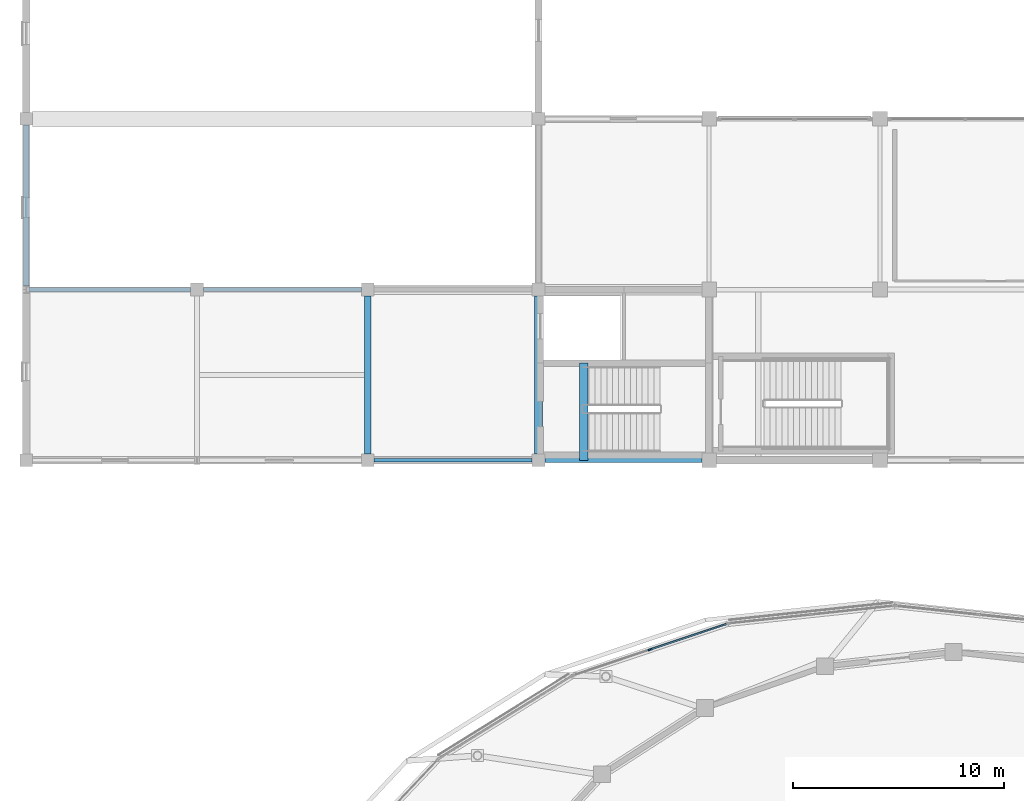
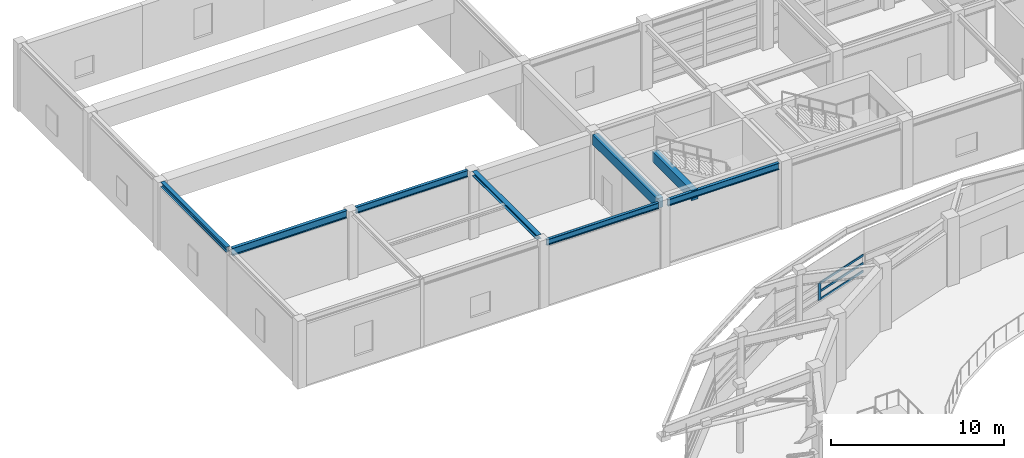
# One storey, part 24 of 58: 8 beams, 4 members, 1 element without a shape of its own.
"""IFC4 building model written with IfcOpenShell, lengths in metres."""

from ifc_helpers import new_model, si_unit, direction, frame, origin, origin_2d, place, context, subcontext, project, spatial, rectangle, i_section, extrude, material, material_profile, profile_set, type_object, element, aggregate, save


model = new_model("IFC4")

# Units and contexts
model_context = context("Model", 3, precision=1e-05, world=origin(), true_north=direction((0.0, 1.0)))
body_context = subcontext(model_context, "Body", "Model", "MODEL_VIEW")
ifc_project = project(units=[si_unit("LENGTHUNIT", "METRE"), si_unit("AREAUNIT", "SQUARE_METRE"), si_unit("VOLUMEUNIT", "CUBIC_METRE"), si_unit("PLANEANGLEUNIT", "RADIAN"), si_unit("MASSUNIT", "GRAM", prefix="KILO")], contexts=[model_context])

# Site, building, storey
site_placement = place(None, origin())
site = spatial("IfcSite", under=ifc_project, at=site_placement, CompositionType="ELEMENT")
building_placement = place(site_placement, origin())
building = spatial("IfcBuilding", under=site, at=building_placement, Name="Parian Resonance Hall", CompositionType="ELEMENT")
storey_placement = place(building_placement, frame((0.0, 0.0, 10.199951171875)))
storey = spatial("IfcBuildingStorey", under=building, at=storey_placement, Name="L02", CompositionType="ELEMENT", Elevation=10.199951171875)

# Beams
ifc_material_1 = material(Name="Concrete C40/50", Category="concrete")
ifc_material_profile_1 = material_profile(ifc_material_1, rectangle(XDim=0.39990234375, YDim=0.699951171875, at=origin_2d()), Name="RC-BM-400x700")
ifc_profile_set_1 = profile_set([ifc_material_profile_1], Name="Concrete C40/50")
beam_type_1 = type_object("IfcBeamType", Name="BM-RC400x700", PredefinedType="BEAM", material=ifc_profile_set_1)
beam_1_placement = place(storey_placement, frame((24.300048828125, 73.199951171875, 4.22998046875), z_axis=(0.0, 1.0, 0.0), x_axis=(-1.0, 0.0, 0.0)))
element("IfcBeam", 1, at=beam_1_placement, inside=storey, type_object=beam_type_1, Name="GY-L02-0746", PredefinedType="BEAM", context=body_context, shape_type="SweptSolid", body=[
    extrude(rectangle(XDim=0.39990234375, YDim=0.699951171875, at=origin_2d()), origin(), (0.0, 0.0, 1.0), 7.5),
])
beam_2_placement = place(storey_placement, frame((26.43994140625, 72.89990234375, 4.22998046875), z_axis=(0.0, 1.0, 0.0), x_axis=(-1.0, 0.0, 0.0)))
element("IfcBeam", 2, at=beam_2_placement, inside=storey, type_object=beam_type_1, Name="Core K4 stair arrival trimmer beam L02", PredefinedType="BEAM", context=body_context, shape_type="SweptSolid", body=[
    extrude(rectangle(XDim=0.39990234375, YDim=0.699951171875, at=origin_2d()), origin(), (0.0, 0.0, 1.0), 4.610107421875),
])
ifc_material_2 = material(Name="Steel S355", Category="steel")
ifc_material_profile_2 = material_profile(ifc_material_2, i_section(OverallWidth=0.304931640625, OverallDepth=0.30810546875, WebThickness=0.010009765625, FlangeThickness=0.015380859375, FilletRadius=0.01513671875, at=origin_2d()), Name="W310x97")
ifc_profile_set_2 = profile_set([ifc_material_profile_2], Name="Steel S355")
beam_type_2 = type_object("IfcBeamType", Name="BM-W310x97", PredefinedType="BEAM", material=ifc_profile_set_2)
beam_3_placement = place(storey_placement, frame((16.199951171875, 73.199951171875, 4.64599609375), z_axis=(0.0, 1.0, 0.0), x_axis=(-1.0, 0.0, 0.0)))
element("IfcBeam", 3, at=beam_3_placement, inside=storey, type_object=beam_type_2, Name="GY-L02-0745", PredefinedType="BEAM", context=body_context, shape_type="SweptSolid", body=[
    extrude(i_section(OverallWidth=0.304931640625, OverallDepth=0.30810546875, WebThickness=0.010009765625, FlangeThickness=0.015380859375, FilletRadius=0.01513671875, at=origin_2d()), origin(), (0.0, 0.0, 1.0), 7.5),
])
ifc_material_3 = material(Name="Steel S355", Category="steel")
ifc_material_profile_3 = material_profile(ifc_material_3, i_section(OverallWidth=0.2548828125, OverallDepth=0.35693359375, WebThickness=0.010498046875, FlangeThickness=0.018310546875, FilletRadius=0.01513671875, at=origin_2d()), Name="W360x101")
ifc_profile_set_3 = profile_set([ifc_material_profile_3], Name="Steel S355")
beam_type_3 = type_object("IfcBeamType", Name="BM-W360x101", PredefinedType="SPANDREL", material=ifc_profile_set_3)
beam_4_placement = place(storey_placement, frame((0.0, 81.178466796875, 4.62158203125), z_axis=(0.0, 1.0, 0.0), x_axis=(-1.0, 0.0, 0.0)))
element("IfcBeam", 4, at=beam_4_placement, inside=storey, type_object=beam_type_3, Name="GY-L02-0741", PredefinedType="SPANDREL", context=body_context, shape_type="SweptSolid", body=[
    extrude(i_section(OverallWidth=0.2548828125, OverallDepth=0.35693359375, WebThickness=0.010498046875, FlangeThickness=0.018310546875, FilletRadius=0.01513671875, at=origin_2d()), origin(), (0.0, 0.0, 1.0), 7.62158203125),
])
ifc_material_4 = material(Name="Steel S355", Category="steel")
ifc_material_profile_4 = material_profile(ifc_material_4, i_section(OverallWidth=0.180908203125, OverallDepth=0.4169921875, WebThickness=0.010986328125, FlangeThickness=0.018310546875, FilletRadius=0.01513671875, at=origin_2d()), Name="W410x85")
ifc_profile_set_4 = profile_set([ifc_material_profile_4], Name="Steel S355")
beam_type_4 = type_object("IfcBeamType", Name="BM-W410x85", PredefinedType="SPANDREL", material=ifc_profile_set_4)
beam_5_placement = place(storey_placement, frame((16.5, 72.89990234375, 4.37158203125), z_axis=(1.0, 0.0, 0.0), x_axis=(0.0, 1.0, 0.0)))
element("IfcBeam", 5, at=beam_5_placement, inside=storey, type_object=beam_type_4, Name="GX-L02-0663", PredefinedType="SPANDREL", context=body_context, shape_type="SweptSolid", body=[
    extrude(i_section(OverallWidth=0.180908203125, OverallDepth=0.4169921875, WebThickness=0.010986328125, FlangeThickness=0.018310546875, FilletRadius=0.01513671875, at=origin_2d()), origin(), (0.0, 0.0, 1.0), 7.5),
])
ifc_material_5 = material(Name="Steel S355", Category="steel")
ifc_material_profile_5 = material_profile(ifc_material_5, i_section(OverallWidth=0.194091796875, OverallDepth=0.468994140625, WebThickness=0.0126953125, FlangeThickness=0.0205078125, FilletRadius=0.01513671875, at=origin_2d()), Name="W460x106")
ifc_profile_set_5 = profile_set([ifc_material_profile_5], Name="Steel S355")
beam_type_5 = type_object("IfcBeamType", Name="BM-W460x106", PredefinedType="SPANDREL", material=ifc_profile_set_5)
beam_6_placement = place(storey_placement, frame((24.60009765625, 72.89990234375, 4.345458984375), z_axis=(1.0, 0.0, 0.0), x_axis=(0.0, 1.0, 0.0)))
element("IfcBeam", 6, at=beam_6_placement, inside=storey, type_object=beam_type_5, Name="GX-L02-0665", PredefinedType="SPANDREL", context=body_context, shape_type="SweptSolid", body=[
    extrude(i_section(OverallWidth=0.194091796875, OverallDepth=0.468994140625, WebThickness=0.0126953125, FlangeThickness=0.0205078125, FilletRadius=0.01513671875, at=origin_2d()), origin(), (0.0, 0.0, 1.0), 7.449951171875),
])
ifc_material_6 = material(Name="Steel S355", Category="steel")
ifc_material_profile_6 = material_profile(ifc_material_6, i_section(OverallWidth=0.19091796875, OverallDepth=0.4599609375, WebThickness=0.010009765625, FlangeThickness=0.01611328125, FilletRadius=0.01513671875, at=origin_2d()), Name="W460x82")
ifc_profile_set_6 = profile_set([ifc_material_profile_6], Name="Steel S355")
beam_type_6 = type_object("IfcBeamType", Name="BM-W460x82", PredefinedType="BEAM", material=ifc_profile_set_6)
beam_7_placement = place(storey_placement, frame((8.39990234375, 81.0, 4.570068359375), z_axis=(1.0, 0.0, 0.0), x_axis=(0.0, 1.0, 0.0)))
element("IfcBeam", 7, at=beam_7_placement, inside=storey, type_object=beam_type_6, Name="GX-L02-0662", PredefinedType="BEAM", context=body_context, shape_type="SweptSolid", body=[
    extrude(i_section(OverallWidth=0.19091796875, OverallDepth=0.4599609375, WebThickness=0.010009765625, FlangeThickness=0.01611328125, FilletRadius=0.01513671875, at=origin_2d()), origin(), (0.0, 0.0, 1.0), 7.5),
])
ifc_material_7 = material(Name="Steel S355", Category="steel")
ifc_material_profile_7 = material_profile(ifc_material_7, i_section(OverallWidth=0.208984375, OverallDepth=0.532958984375, WebThickness=0.01025390625, FlangeThickness=0.015625, FilletRadius=0.017822265625, at=origin_2d()), Name="W530x92")
ifc_profile_set_7 = profile_set([ifc_material_profile_7], Name="Steel S355")
beam_type_7 = type_object("IfcBeamType", Name="BM-W530x92", PredefinedType="BEAM", material=ifc_profile_set_7)
beam_8_placement = place(storey_placement, frame((0.12744140625, 81.0, 4.533447265625), z_axis=(1.0, 0.0, 0.0), x_axis=(0.0, 1.0, 0.0)))
element("IfcBeam", 8, at=beam_8_placement, inside=storey, type_object=beam_type_7, Name="GX-L02-0660", PredefinedType="BEAM", context=body_context, shape_type="SweptSolid", body=[
    extrude(i_section(OverallWidth=0.208984375, OverallDepth=0.532958984375, WebThickness=0.01025390625, FlangeThickness=0.015625, FilletRadius=0.017822265625, at=origin_2d()), origin(), (0.0, 0.0, 1.0), 7.672607421875),
])

# Curtain wall, members
ifc_material_8 = material(Name="Bronze-anodised aluminium frame", Category="aluminium")
curtain_wall_type = type_object("IfcCurtainWallType", Name="CW-SYS-03", PredefinedType="NOTDEFINED", material=ifc_material_8)
curtain_wall_placement = place(storey_placement, origin())
curtain_wall = element("IfcCurtainWall", 9, at=curtain_wall_placement, inside=storey, type_object=curtain_wall_type, Name="Elliptical R2 recessed strip curtain wall 08", PredefinedType="NOTDEFINED")
ifc_material_9 = material(Name="Bronze-anodised aluminium frame", Category="aluminium")
ifc_material_profile_8 = material_profile(ifc_material_9, rectangle(XDim=0.074951171875, YDim=0.199951171875, at=origin_2d()), Name="CWM-75x200")
ifc_profile_set_8 = profile_set([ifc_material_profile_8], Name="Bronze-anodised aluminium frame")
member_type_1 = type_object("IfcMemberType", Name="CWM-75x200", PredefinedType="MULLION", material=ifc_profile_set_8)
member_1_placement = place(storey_placement, frame((29.590087890625, 63.916259765625, 1.14208984375), z_axis=(0.0, 0.0, 1.0), x_axis=(-0.318257900904, 0.948004171147, 0.0)))
member_1 = element("IfcMember", 10, at=member_1_placement, type_object=member_type_1, Name="CW-03 mullion 2", PredefinedType="MULLION", context=body_context, shape_type="SweptSolid", body=[
    extrude(rectangle(XDim=0.074951171875, YDim=0.199951171875, at=origin_2d()), origin(), (0.0, 0.0, 1.0), 1.218017578125),
])
ifc_material_10 = material(Name="Bronze-anodised aluminium frame", Category="aluminium")
ifc_material_profile_9 = material_profile(ifc_material_10, rectangle(XDim=0.074951171875, YDim=0.14990234375, at=origin_2d()), Name="CWT-75x150")
ifc_profile_set_9 = profile_set([ifc_material_profile_9], Name="Bronze-anodised aluminium frame")
member_type_2 = type_object("IfcMemberType", Name="CWT-75x150", PredefinedType="USERDEFINED", material=ifc_profile_set_9)
member_2_placement = place(storey_placement, frame((29.62548828125, 63.92822265625, 1.179443359375), z_axis=(0.948015947116, 0.318222821327, 0.0), x_axis=(-0.318222821327, 0.948015947116, 0.0)))
member_2 = element("IfcMember", 11, at=member_2_placement, type_object=member_type_2, Name="CW-03 transom 2.1", ObjectType="TRANSOM", PredefinedType="USERDEFINED", context=body_context, shape_type="SweptSolid", body=[
    extrude(rectangle(XDim=0.074951171875, YDim=0.14990234375, at=origin_2d()), origin(), (0.0, 0.0, 1.0), 3.780029296875),
])
member_3_placement = place(storey_placement, frame((29.62548828125, 63.92822265625, 1.75), z_axis=(0.948015947116, 0.318222821327, 0.0), x_axis=(-0.318222821327, 0.948015947116, 0.0)))
member_3 = element("IfcMember", 12, at=member_3_placement, type_object=member_type_2, Name="CW-03 transom 2.2", ObjectType="TRANSOM", PredefinedType="USERDEFINED", context=body_context, shape_type="SweptSolid", body=[
    extrude(rectangle(XDim=0.074951171875, YDim=0.14990234375, at=origin_2d()), origin(), (0.0, 0.0, 1.0), 3.780029296875),
])
member_4_placement = place(storey_placement, frame((29.62548828125, 63.92822265625, 2.322509765625), z_axis=(0.948015947116, 0.318222821327, 0.0), x_axis=(-0.318222821327, 0.948015947116, 0.0)))
member_4 = element("IfcMember", 13, at=member_4_placement, type_object=member_type_2, Name="CW-03 transom 2.3", ObjectType="TRANSOM", PredefinedType="USERDEFINED", context=body_context, shape_type="SweptSolid", body=[
    extrude(rectangle(XDim=0.074951171875, YDim=0.14990234375, at=origin_2d()), origin(), (0.0, 0.0, 1.0), 3.780029296875),
])
aggregate(curtain_wall, [member_1, member_2, member_3, member_4])

save(model, "model.ifc")
